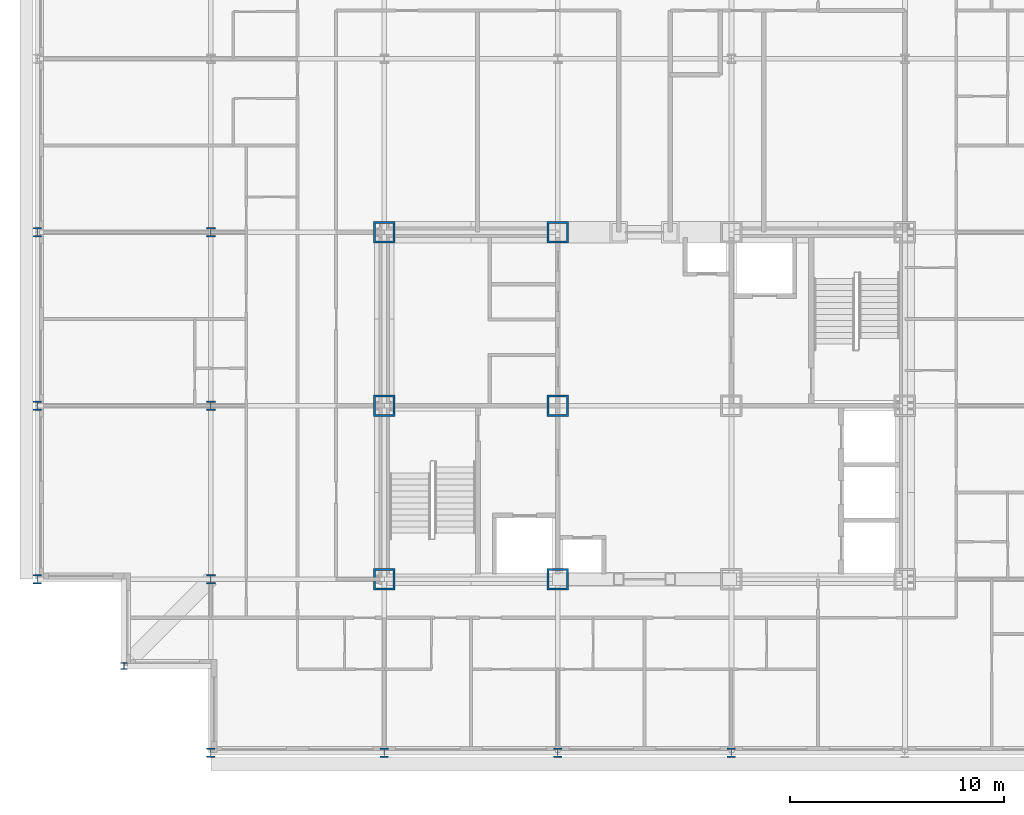
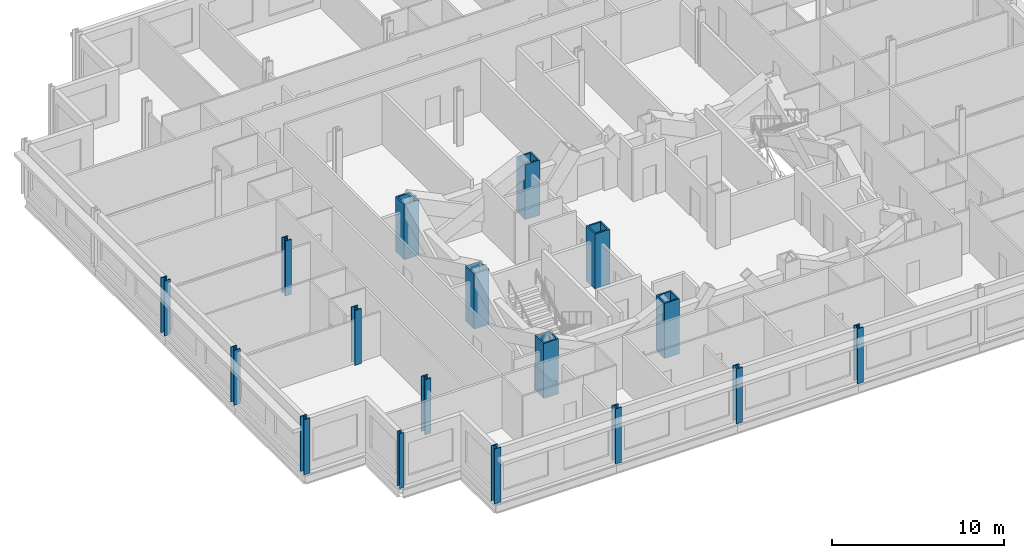
# One storey, part 1 of 15: 17 columns.
"""IFC4 building model written with IfcOpenShell, lengths in metres."""

import ifcopenshell
import ifcopenshell.guid

model = None  # the IFC model being written
_history = None  # IfcOwnerHistory: only IFC2X3 demands one
_inside = {}  # id of a spatial element -> (the spatial element, [elements in it])
_under = {}  # id of a project, library or spatial element -> (it, [spatial elements below it])
_declared = {}  # id of a project -> (the project, [libraries it declares])
_typed = {}  # id of a type object -> (the type object, [elements of that type])
_made_of = {}  # id of a material, layer set ... -> (it, [elements and type objects made of it])


def new_model(schema):
    """Start an empty IFC model of exactly this schema.

    Asked for "IFC4X3", IfcOpenShell would pick the latest addendum, in which some entities
    have other attributes; the version numbers below select the first issue.
    IFC2X3 requires an IfcOwnerHistory on every rooted entity: one is made here for all.
    """
    global model, _history
    if schema == "IFC4X3":
        model = ifcopenshell.file(schema_version=(4, 3, 0, 0))
    else:
        model = ifcopenshell.file(schema=schema)
    _inside.clear()
    _under.clear()
    _declared.clear()
    _typed.clear()
    _made_of.clear()
    _history = None
    if model.schema == "IFC2X3":
        org = make("IfcOrganization", Name="unknown")
        user = make(
            "IfcPersonAndOrganization",
            ThePerson=make("IfcPerson", FamilyName="unknown"),
            TheOrganization=org,
        )
        app = make(
            "IfcApplication",
            ApplicationDeveloper=org,
            Version="unknown",
            ApplicationFullName="unknown",
            ApplicationIdentifier="unknown",
        )
        _history = make(
            "IfcOwnerHistory",
            OwningUser=user,
            OwningApplication=app,
            ChangeAction="ADDED",
            CreationDate=0,
        )
    return model


def make(cls, **values):
    """One entity of the class cls with the attributes given. An attribute that is None is left unset."""
    return model.create_entity(
        cls, **{name: value for name, value in values.items() if value is not None}
    )


def rooted(cls, **values):
    """An entity with a GlobalId (a new one), such as an element, a storey or a relation."""
    return make(cls, GlobalId=ifcopenshell.guid.new(), OwnerHistory=_history, **values)


def si_unit(unit_type, name, prefix=None):
    """IfcSIUnit, for example si_unit("LENGTHUNIT", "METRE", prefix="MILLI")."""
    return make("IfcSIUnit", UnitType=unit_type, Prefix=prefix, Name=name)


def assignment(units):
    """IfcUnitAssignment: the units of a project."""
    return None if units is None else make("IfcUnitAssignment", Units=units)


def point(xyz):
    """IfcCartesianPoint."""
    return None if xyz is None else make("IfcCartesianPoint", Coordinates=xyz)


def direction(xyz):
    """IfcDirection."""
    return None if xyz is None else make("IfcDirection", DirectionRatios=xyz)


def frame(location, z_axis=None, x_axis=None):
    """IfcAxis2Placement3D, a coordinate frame: its origin and axes. An axis left out is left unset."""
    return make(
        "IfcAxis2Placement3D",
        Location=point(location),
        Axis=direction(z_axis),
        RefDirection=direction(x_axis),
    )


def frame_2d(location, x_axis=None):
    """IfcAxis2Placement2D, a coordinate frame in the plane: its origin and x axis."""
    return make(
        "IfcAxis2Placement2D", Location=point(location), RefDirection=direction(x_axis)
    )


def origin():
    """The frame at (0, 0, 0) with its axes left unset."""
    return frame((0.0, 0.0, 0.0))


def origin_2d():
    """The frame at (0, 0) in the plane with its x axis left unset."""
    return frame_2d((0.0, 0.0))


def place(relative_to, where):
    """IfcLocalPlacement: puts the frame where relative to a parent placement (None: the world)."""
    return make(
        "IfcLocalPlacement", PlacementRelTo=relative_to, RelativePlacement=where
    )


def context(
    kind, dimensions, precision=None, world=None, true_north=None, identifier=None
):
    """IfcGeometricRepresentationContext, for example the 3D "Model" context."""
    return make(
        "IfcGeometricRepresentationContext",
        ContextIdentifier=identifier,
        ContextType=kind,
        CoordinateSpaceDimension=dimensions,
        Precision=precision,
        WorldCoordinateSystem=world,
        TrueNorth=true_north,
    )


def subcontext(parent, identifier, kind, view, scale=None):
    """IfcGeometricRepresentationSubContext, for example "Body" below "Model"."""
    return make(
        "IfcGeometricRepresentationSubContext",
        ContextIdentifier=identifier,
        ContextType=kind,
        ParentContext=parent,
        TargetScale=scale,
        TargetView=view,
    )


def project(units=None, contexts=None):
    """IfcProject with its units and contexts."""
    return rooted(
        "IfcProject",
        Name="project",
        RepresentationContexts=contexts,
        UnitsInContext=assignment(units),
    )


def spatial(cls, under=None, at=None, **own):
    """A site, building, storey or space (cls), placed at a placement, below another one or the project."""
    s = rooted(cls, ObjectPlacement=at, **own)
    if under is not None:
        _under.setdefault(under.id(), (under, []))[1].append(s)
    return s


def profile(cls, at=None, kind="AREA", **sizes):
    """A parametric profile (cls). Its sizes go by their IFC names, for example OverallWidth=200.0."""
    return make(cls, ProfileType=kind, Position=at, **sizes)


def hollow_rectangle(**sizes):
    """IfcRectangleHollowProfileDef."""
    return profile("IfcRectangleHollowProfileDef", **sizes)


def i_section(**sizes):
    """IfcIShapeProfileDef."""
    return profile("IfcIShapeProfileDef", **sizes)


def extrude(swept, where, along, depth):
    """IfcExtrudedAreaSolid: the profile swept, set in the frame where, extruded along a direction by depth."""
    return make(
        "IfcExtrudedAreaSolid",
        SweptArea=swept,
        Position=where,
        ExtrudedDirection=direction(along),
        Depth=depth,
    )


def shape(context_of_items, identifier, shape_type, items):
    """IfcShapeRepresentation: the items that make up one representation, for example the "Body"."""
    return make(
        "IfcShapeRepresentation",
        ContextOfItems=context_of_items,
        RepresentationIdentifier=identifier,
        RepresentationType=shape_type,
        Items=items,
    )


def material(Name=None, Category=None):
    """IfcMaterial."""
    return make("IfcMaterial", Name=Name, Category=Category)


def material_profile(
    of_material, cross_section, Name=None, Category=None, Priority=None
):
    """IfcMaterialProfile: a cross section and its material."""
    return make(
        "IfcMaterialProfile",
        Name=Name,
        Material=of_material,
        Profile=cross_section,
        Priority=Priority,
        Category=Category,
    )


def profile_set(profiles, Name=None, composite=None):
    """IfcMaterialProfileSet."""
    return make(
        "IfcMaterialProfileSet",
        Name=Name,
        MaterialProfiles=profiles,
        CompositeProfile=composite,
    )


def made_of(thing, what):
    """Note that an element or type object is made of a material, layer set ...; save() writes the relation."""
    if what is not None:
        _made_of.setdefault(what.id(), (what, []))[1].append(thing)
    return thing


def type_object(cls, material=None, **own):
    """A type object (cls), such as IfcWallType, which elements share."""
    return made_of(rooted(cls, **own), material)


def element(
    cls,
    number,
    at=None,
    inside=None,
    cuts=None,
    type_object=None,
    material=None,
    context=None,
    identifier="Body",
    shape_type=None,
    held_by="IfcProductDefinitionShape",
    body=None,
    shapes=None,
    **own,
):
    """One element of the class cls, such as IfcWall. Its Tag is "e" and its number.

    at: its placement. inside: the storey or other place that contains it. cuts: it is an
    opening in that element (IfcRelVoidsElement). A single representation is given by context,
    identifier, shape_type and body (its items); several are given by shapes. held_by: the class
    of the entity that holds the representations. save() writes the other relations.
    """
    e = rooted(cls, Tag="e%d" % number, ObjectPlacement=at, **own)
    if body is not None:
        shapes = [shape(context, identifier, shape_type, body)]
    if shapes is not None:
        e.Representation = make(held_by, Representations=shapes)
    if inside is not None:
        _inside.setdefault(inside.id(), (inside, []))[1].append(e)
    if cuts is not None:
        rooted(
            "IfcRelVoidsElement", RelatingBuildingElement=cuts, RelatedOpeningElement=e
        )
    if type_object is not None:
        _typed.setdefault(type_object.id(), (type_object, []))[1].append(e)
    return made_of(e, material)


def aggregate(whole, parts):
    """IfcRelAggregates: a whole, such as a stair, and the parts it consists of."""
    return rooted("IfcRelAggregates", RelatingObject=whole, RelatedObjects=parts)


def save(model, path):
    """Write the relations noted so far, then the file.

    IfcRelAggregates (storeys below a building ...), IfcRelContainedInSpatialStructure (elements
    in a storey), IfcRelDefinesByType, IfcRelAssociatesMaterial and IfcRelDeclares: one each for
    every whole, place, type object, material and project.
    """
    for whole, parts in _under.values():
        aggregate(whole, parts)
    for where, things in _inside.values():
        rooted(
            "IfcRelContainedInSpatialStructure",
            RelatedElements=things,
            RelatingStructure=where,
        )
    for kind, things in _typed.values():
        rooted("IfcRelDefinesByType", RelatedObjects=things, RelatingType=kind)
    for what, things in _made_of.values():
        rooted("IfcRelAssociatesMaterial", RelatedObjects=things, RelatingMaterial=what)
    for by, libraries in _declared.values():
        rooted("IfcRelDeclares", RelatingContext=by, RelatedDefinitions=libraries)
    model.write(path)


model = new_model("IFC4")

# Units and contexts
model_context = context("Model", 3, precision=1e-05, world=origin(), true_north=direction((0.0, 1.0)))
body_context = subcontext(model_context, "Body", "Model", "MODEL_VIEW")
ifc_project = project(units=[si_unit("LENGTHUNIT", "METRE"), si_unit("AREAUNIT", "SQUARE_METRE"), si_unit("VOLUMEUNIT", "CUBIC_METRE"), si_unit("PLANEANGLEUNIT", "RADIAN"), si_unit("MASSUNIT", "GRAM", prefix="KILO")], contexts=[model_context])

# Site, building, storey
site_placement = place(None, origin())
site = spatial("IfcSite", under=ifc_project, at=site_placement, CompositionType="ELEMENT")
building_placement = place(site_placement, origin())
building = spatial("IfcBuilding", under=site, at=building_placement, Name="Kopane Lantern Tower", CompositionType="ELEMENT")
storey_placement = place(building_placement, frame((0.0, 0.0, 250.199951171875)))
storey = spatial("IfcBuildingStorey", under=building, at=storey_placement, Name="L64", CompositionType="ELEMENT", Elevation=250.199951171875)

# Columns
ifc_material_1 = material(Name="Steel S355JR", Category="steel")
ifc_material_profile_1 = material_profile(ifc_material_1, hollow_rectangle(XDim=1.0, YDim=1.0, WallThickness=0.10009765625, at=origin_2d()), Name="BOX 1000x1000x100")
ifc_profile_set_1 = profile_set([ifc_material_profile_1], Name="Steel S355JR")
column_type_1 = type_object("IfcColumnType", Name="COLUMN BOX 1000x1000x100", PredefinedType="COLUMN", material=ifc_profile_set_1)
for number, where, z_axis, x_axis, name in (
    (1, (16.199951171875, 24.300048828125, 0.0), (0.0, 0.0, 1.0), (1.0, 0.0, 0.0), "Column 4/E L64"),
    (2, (16.199951171875, 32.39990234375, 0.0), (0.0, 0.0, 1.0), (1.0, 0.0, 0.0), "Column 4/F L64"),
    (3, (16.199951171875, 40.5, 0.0), (0.0, 0.0, 1.0), (1.0, 0.0, 0.0), "Column 4/G L64"),
    (4, (24.300048828125, 24.300048828125, 0.0), (0.0, 0.0, 1.0), (1.0, 0.0, 0.0), "Column 5/E L64"),
    (5, (24.300048828125, 32.39990234375, 0.0), (0.0, 0.0, 1.0), (1.0, 0.0, 0.0), "Column 5/F L64"),
    (6, (24.300048828125, 40.5, 0.0), (0.0, 0.0, 1.0), (1.0, 0.0, 0.0), "Column 5/G L64"),
):
    element("IfcColumn", number, at=place(storey_placement, frame(where, z_axis=z_axis, x_axis=x_axis)), inside=storey, type_object=column_type_1, Name=name, PredefinedType="COLUMN", context=body_context, shape_type="SweptSolid", body=[
        extrude(hollow_rectangle(XDim=1.0, YDim=1.0, WallThickness=0.10009765625, at=origin_2d()), origin(), (0.0, 0.0, 1.0), 3.900146484375),
    ])
ifc_material_2 = material(Name="Steel S355JR", Category="steel")
ifc_material_profile_2 = material_profile(ifc_material_2, i_section(OverallWidth=0.307373046875, OverallDepth=0.314453125, WebThickness=0.011962890625, FlangeThickness=0.018798828125, FilletRadius=0.01513671875, at=origin_2d()), Name="UC 305x305x118")
ifc_profile_set_2 = profile_set([ifc_material_profile_2], Name="Steel S355JR")
column_type_2 = type_object("IfcColumnType", Name="COLUMN UC 305x305x118", PredefinedType="COLUMN", material=ifc_profile_set_2)
column_placement = place(storey_placement, frame((4.050048828125, 20.25, 0.0), z_axis=(0.0, 0.0, 1.0), x_axis=(1.0, 0.0, 0.0)))
element("IfcColumn", 7, at=column_placement, inside=storey, type_object=column_type_2, Name="Column 4.05/20.25 L64", PredefinedType="COLUMN", context=body_context, shape_type="SweptSolid", body=[
    extrude(i_section(OverallWidth=0.307373046875, OverallDepth=0.314453125, WebThickness=0.011962890625, FlangeThickness=0.018798828125, FilletRadius=0.01513671875, at=origin_2d()), origin(), (0.0, 0.0, 1.0), 3.900146484375),
])
ifc_material_3 = material(Name="Steel S355JR", Category="steel")
ifc_material_profile_3 = material_profile(ifc_material_3, i_section(OverallWidth=0.412109375, OverallDepth=0.4365234375, WebThickness=0.035888671875, FlangeThickness=0.05810546875, FilletRadius=0.01513671875, at=origin_2d()), Name="UC 356x406x467")
ifc_profile_set_3 = profile_set([ifc_material_profile_3], Name="Steel S355JR")
column_type_3 = type_object("IfcColumnType", Name="COLUMN UC 356x406x467", PredefinedType="COLUMN", material=ifc_profile_set_3)
for number, where, z_axis, x_axis, name in (
    (8, (0.0, 24.300048828125, 0.0), (0.0, 0.0, 1.0), (1.0, 0.0, 0.0), "Column 2/E L64"),
    (9, (0.0, 32.39990234375, 0.0), (0.0, 0.0, 1.0), (1.0, 0.0, 0.0), "Column 2/F L64"),
    (10, (0.0, 40.5, 0.0), (0.0, 0.0, 1.0), (1.0, 0.0, 0.0), "Column 2/G L64"),
    (11, (8.10009765625, 16.199951171875, 0.0), (0.0, 0.0, 1.0), (1.0, 0.0, 0.0), "Column 3/D L64"),
    (12, (16.199951171875, 16.199951171875, 0.0), (0.0, 0.0, 1.0), (1.0, 0.0, 0.0), "Column 4/D L64"),
    (13, (24.300048828125, 16.199951171875, 0.0), (0.0, 0.0, 1.0), (1.0, 0.0, 0.0), "Column 5/D L64"),
    (14, (32.39990234375, 16.199951171875, 0.0), (0.0, 0.0, 1.0), (1.0, 0.0, 0.0), "Column 6/D L64"),
):
    element("IfcColumn", number, at=place(storey_placement, frame(where, z_axis=z_axis, x_axis=x_axis)), inside=storey, type_object=column_type_3, Name=name, PredefinedType="COLUMN", context=body_context, shape_type="SweptSolid", body=[
        extrude(i_section(OverallWidth=0.412109375, OverallDepth=0.4365234375, WebThickness=0.035888671875, FlangeThickness=0.05810546875, FilletRadius=0.01513671875, at=origin_2d()), origin(), (0.0, 0.0, 1.0), 3.900146484375),
    ])
ifc_material_4 = material(Name="Steel S355JR", Category="steel")
ifc_material_profile_4 = material_profile(ifc_material_4, i_section(OverallWidth=0.41845703125, OverallDepth=0.45556640625, WebThickness=0.0419921875, FlangeThickness=0.0673828125, FilletRadius=0.01513671875, at=origin_2d()), Name="UC 356x406x551")
ifc_profile_set_4 = profile_set([ifc_material_profile_4], Name="Steel S355JR")
column_type_4 = type_object("IfcColumnType", Name="COLUMN UC 356x406x551", PredefinedType="COLUMN", material=ifc_profile_set_4)
for number, where, z_axis, x_axis, name in (
    (15, (8.10009765625, 24.300048828125, 0.0), (0.0, 0.0, 1.0), (1.0, 0.0, 0.0), "Column 3/E L64"),
    (16, (8.10009765625, 32.39990234375, 0.0), (0.0, 0.0, 1.0), (1.0, 0.0, 0.0), "Column 3/F L64"),
    (17, (8.10009765625, 40.5, 0.0), (0.0, 0.0, 1.0), (1.0, 0.0, 0.0), "Column 3/G L64"),
):
    element("IfcColumn", number, at=place(storey_placement, frame(where, z_axis=z_axis, x_axis=x_axis)), inside=storey, type_object=column_type_4, Name=name, PredefinedType="COLUMN", context=body_context, shape_type="SweptSolid", body=[
        extrude(i_section(OverallWidth=0.41845703125, OverallDepth=0.45556640625, WebThickness=0.0419921875, FlangeThickness=0.0673828125, FilletRadius=0.01513671875, at=origin_2d()), origin(), (0.0, 0.0, 1.0), 3.900146484375),
    ])

save(model, "model.ifc")
